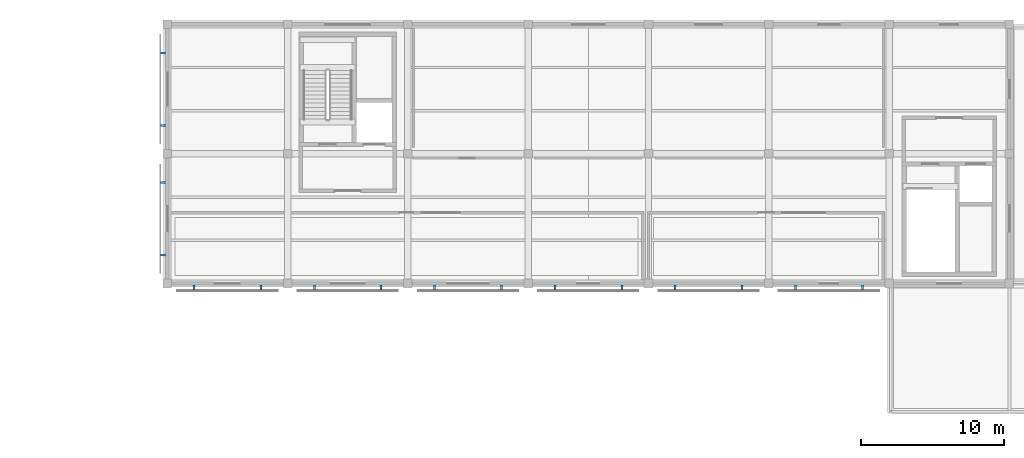
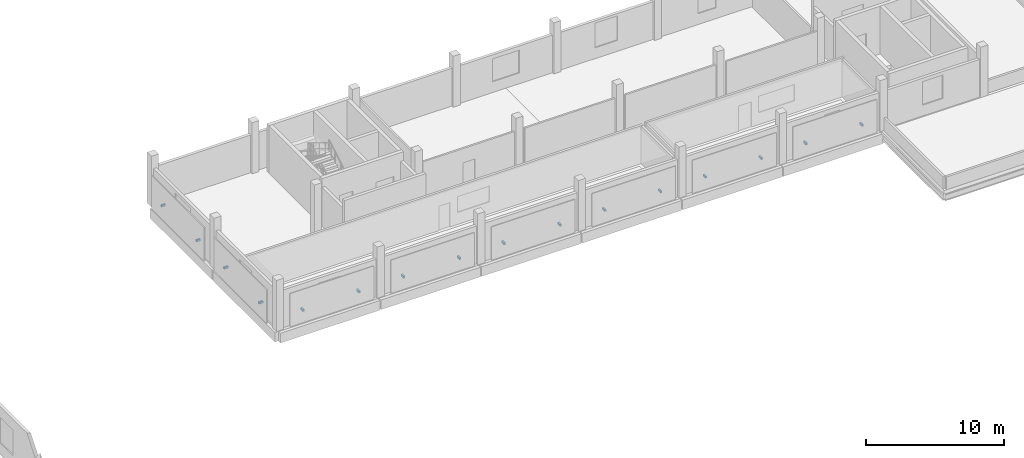
# One storey, part 24 of 34: 16 discrete accessories.
"""IFC4 building model written with IfcOpenShell, lengths in metres."""

from ifc_helpers import new_model, si_unit, direction, frame, origin, origin_2d, place, context, subcontext, project, spatial, rectangle, extrude, material, type_object, element, save


model = new_model("IFC4")

# Units and contexts
model_context = context("Model", 3, precision=1e-05, world=origin(), true_north=direction((0.0, 1.0)))
body_context = subcontext(model_context, "Body", "Model", "MODEL_VIEW")
ifc_project = project(units=[si_unit("LENGTHUNIT", "METRE"), si_unit("AREAUNIT", "SQUARE_METRE"), si_unit("VOLUMEUNIT", "CUBIC_METRE"), si_unit("PLANEANGLEUNIT", "RADIAN"), si_unit("MASSUNIT", "GRAM", prefix="KILO")], contexts=[model_context])

# Site, building, storey
site_placement = place(None, origin())
site = spatial("IfcSite", under=ifc_project, at=site_placement, CompositionType="ELEMENT")
building_placement = place(site_placement, origin())
building = spatial("IfcBuilding", under=site, at=building_placement, Name="Khurvash Pelagic Aquarium", CompositionType="ELEMENT")
storey_placement = place(building_placement, frame((0.0, 0.0, 15.60009765625)))
storey = spatial("IfcBuildingStorey", under=building, at=storey_placement, Name="L03", CompositionType="ELEMENT", Elevation=15.60009765625)

# Discrete accessories
ifc_material = material(Name="Hot-dip galvanised steel S355J2", Category="steel")
discrete_accessory_type = type_object("IfcDiscreteAccessoryType", Name="BK-01", PredefinedType="BRACKET", material=ifc_material)
for number, where, z_axis, x_axis, name in (
    (1, (58.5048828125, 100.156982421875, 1.10986328125), (0.0, 0.0, 1.0), (0.0, -1.0, 0.0), "L03 Jali Screen Support Bracket BK-01 0093"),
    (2, (58.5048828125, 95.093017578125, 1.10986328125), (0.0, 0.0, 1.0), (0.0, -1.0, 0.0), "L03 Jali Screen Support Bracket BK-01 0094"),
    (3, (58.5048828125, 91.10693359375, 1.10986328125), (0.0, 0.0, 1.0), (0.0, -1.0, 0.0), "L03 Jali Screen Support Bracket BK-01 0095"),
    (4, (58.5048828125, 86.04296875, 1.10986328125), (0.0, 0.0, 1.0), (0.0, -1.0, 0.0), "L03 Jali Screen Support Bracket BK-01 0096"),
    (5, (60.6630859375, 83.7548828125, 1.10986328125), (0.0, 0.0, 1.0), (1.0, 0.0, 0.0), "L03 Jali Screen Support Bracket BK-01 0097"),
    (6, (65.3369140625, 83.7548828125, 1.10986328125), (0.0, 0.0, 1.0), (1.0, 0.0, 0.0), "L03 Jali Screen Support Bracket BK-01 0098"),
    (7, (69.06298828125, 83.7548828125, 1.10986328125), (0.0, 0.0, 1.0), (1.0, 0.0, 0.0), "L03 Jali Screen Support Bracket BK-01 0099"),
    (8, (73.737060546875, 83.7548828125, 1.10986328125), (0.0, 0.0, 1.0), (1.0, 0.0, 0.0), "L03 Jali Screen Support Bracket BK-01 0100"),
    (9, (77.462890625, 83.7548828125, 1.10986328125), (0.0, 0.0, 1.0), (1.0, 0.0, 0.0), "L03 Jali Screen Support Bracket BK-01 0101"),
    (10, (82.136962890625, 83.7548828125, 1.10986328125), (0.0, 0.0, 1.0), (1.0, 0.0, 0.0), "L03 Jali Screen Support Bracket BK-01 0102"),
    (11, (85.863037109375, 83.7548828125, 1.10986328125), (0.0, 0.0, 1.0), (1.0, 0.0, 0.0), "L03 Jali Screen Support Bracket BK-01 0103"),
    (12, (90.537109375, 83.7548828125, 1.10986328125), (0.0, 0.0, 1.0), (1.0, 0.0, 0.0), "L03 Jali Screen Support Bracket BK-01 0104"),
    (13, (94.262939453125, 83.7548828125, 1.10986328125), (0.0, 0.0, 1.0), (1.0, 0.0, 0.0), "L03 Jali Screen Support Bracket BK-01 0105"),
    (14, (98.93701171875, 83.7548828125, 1.10986328125), (0.0, 0.0, 1.0), (1.0, 0.0, 0.0), "L03 Jali Screen Support Bracket BK-01 0106"),
    (15, (102.6630859375, 83.7548828125, 1.10986328125), (0.0, 0.0, 1.0), (1.0, 0.0, 0.0), "L03 Jali Screen Support Bracket BK-01 0107"),
    (16, (107.3369140625, 83.7548828125, 1.10986328125), (0.0, 0.0, 1.0), (1.0, 0.0, 0.0), "L03 Jali Screen Support Bracket BK-01 0108"),
):
    element("IfcDiscreteAccessory", number, at=place(storey_placement, frame(where, z_axis=z_axis, x_axis=x_axis)), inside=storey, type_object=discrete_accessory_type, Name=name, PredefinedType="BRACKET", context=body_context, shape_type="SweptSolid", body=[
        extrude(rectangle(XDim=0.139892578125, YDim=0.35009765625, at=origin_2d()), origin(), (0.0, 0.0, 1.0), 0.179931640625),
    ])

save(model, "model.ifc")
